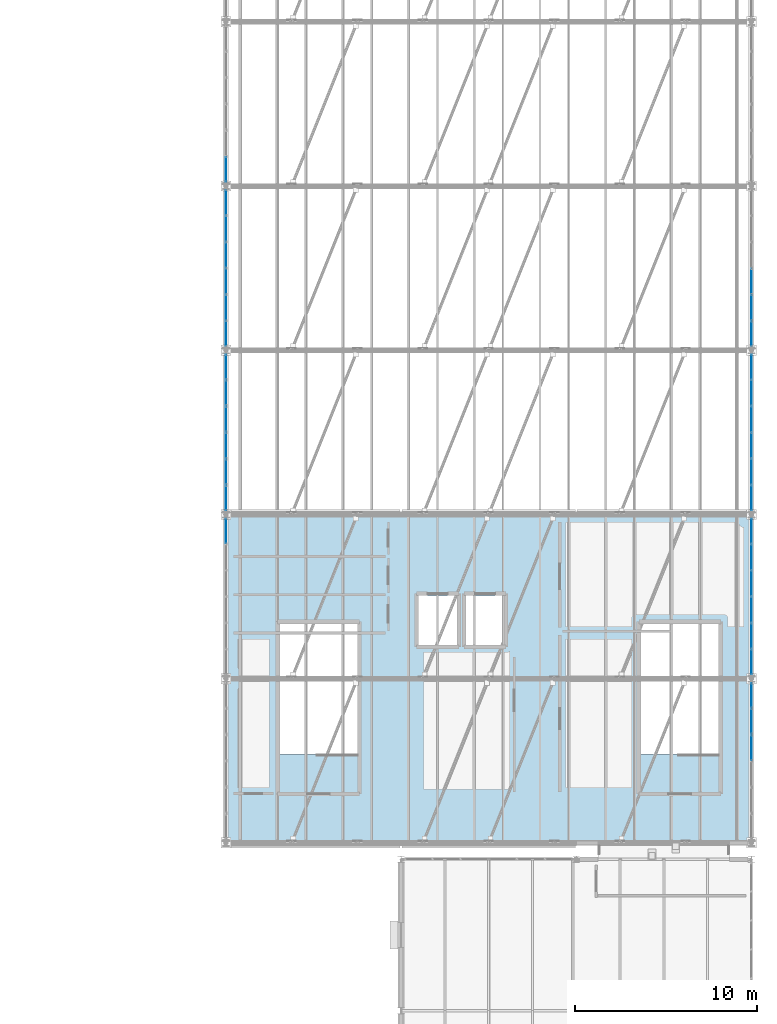
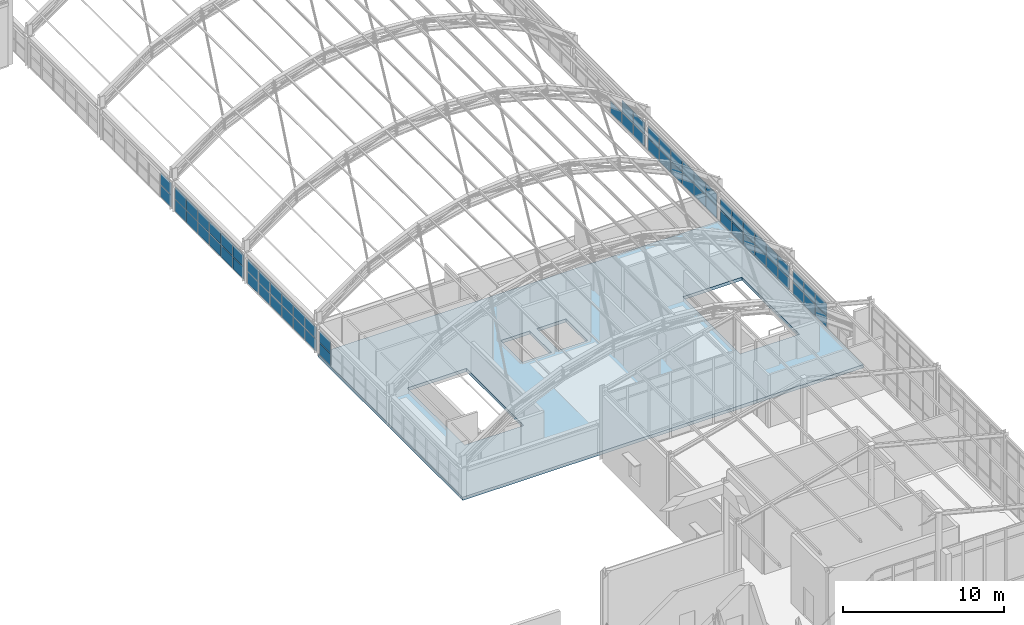
# One storey, part 98 of 121: 63 plates, 1 slab, 8 elements without a shape of their own.
"""IFC4 building model written with IfcOpenShell, lengths in metres."""

from ifc_helpers import new_model, si_unit, direction, frame, origin, origin_2d, place, context, subcontext, project, spatial, polyline, rectangle, outline, extrude, material, layer, layer_set, type_object, element, aggregate, save


model = new_model("IFC4")

# Units and contexts
model_context = context("Model", 3, precision=1e-05, world=origin(), true_north=direction((0.0, 1.0)))
body_context = subcontext(model_context, "Body", "Model", "MODEL_VIEW")
ifc_project = project(units=[si_unit("LENGTHUNIT", "METRE"), si_unit("AREAUNIT", "SQUARE_METRE"), si_unit("VOLUMEUNIT", "CUBIC_METRE"), si_unit("PLANEANGLEUNIT", "RADIAN"), si_unit("MASSUNIT", "GRAM", prefix="KILO")], contexts=[model_context])

# Site, building, storey
site_placement = place(None, origin())
site = spatial("IfcSite", under=ifc_project, at=site_placement, CompositionType="ELEMENT")
building_placement = place(site_placement, origin())
building = spatial("IfcBuilding", under=site, at=building_placement, Name="Canglan Escarpment Cableway Terminal", CompositionType="ELEMENT")
storey_placement = place(building_placement, frame((0.0, 0.0, 24.60009765625)))
storey = spatial("IfcBuildingStorey", under=building, at=storey_placement, Name="L05", CompositionType="ELEMENT", Elevation=24.60009765625)

# Curtain wall, plates
ifc_material_1 = material(Name="Anodized bronze aluminium and Low-E double glazing", Category="aluminium")
curtain_wall_type_1 = type_object("IfcCurtainWallType", Name="CW-BAY-8650x1950", PredefinedType="NOTDEFINED", material=ifc_material_1)
curtain_wall_1_placement = place(storey_placement, origin())
curtain_wall_1 = element("IfcCurtainWall", 1, at=curtain_wall_1_placement, inside=storey, type_object=curtain_wall_type_1, Name="Classical bay-between-piers glazed curtain wall CW-66", PredefinedType="NOTDEFINED")
ifc_material_2 = material(Name="Double-silver Low-E laminated insulating glass", Category="glass")
ifc_layer_1 = layer(ifc_material_2, 0.02392578125, Name="Double-silver Low-E laminated insulating glass")
ifc_layer_set_1 = layer_set([ifc_layer_1], Name="Double-silver Low-E laminated insulating glass")
plate_type_1 = type_object("IfcPlateType", Name="CWP-01", PredefinedType="CURTAIN_PANEL", material=ifc_layer_set_1)
plate_1_placement = place(storey_placement, frame((166.39990234375, 61.912109375, 0.06005859375), z_axis=(0.0, 0.0, 1.0), x_axis=(0.0, 1.0, 0.0)))
plate_1 = element("IfcPlate", 2, at=plate_1_placement, type_object=plate_type_1, Name="CW-66 panel 1.1", PredefinedType="CURTAIN_PANEL", context=body_context, shape_type="SweptSolid", body=[
    extrude(rectangle(XDim=1.34423828125, YDim=0.02392578125, at=origin_2d()), origin(), (0.0, 0.0, 1.0), 0.885009765625),
])
plate_2_placement = place(storey_placement, frame((166.39990234375, 61.912109375, 1.0048828125), z_axis=(0.0, 0.0, 1.0), x_axis=(0.0, 1.0, 0.0)))
plate_2 = element("IfcPlate", 3, at=plate_2_placement, type_object=plate_type_1, Name="CW-66 panel 1.2", PredefinedType="CURTAIN_PANEL", context=body_context, shape_type="SweptSolid", body=[
    extrude(rectangle(XDim=1.34423828125, YDim=0.02392578125, at=origin_2d()), origin(), (0.0, 0.0, 1.0), 0.885009765625),
])
plate_3_placement = place(storey_placement, frame((166.39990234375, 63.33740234375, 0.06005859375), z_axis=(0.0, 0.0, 1.0), x_axis=(0.0, 1.0, 0.0)))
plate_3 = element("IfcPlate", 4, at=plate_3_placement, type_object=plate_type_1, Name="CW-66 panel 2.1", PredefinedType="CURTAIN_PANEL", context=body_context, shape_type="SweptSolid", body=[
    extrude(rectangle(XDim=1.376708984375, YDim=0.02392578125, at=origin_2d()), origin(), (0.0, 0.0, 1.0), 0.885009765625),
])
plate_4_placement = place(storey_placement, frame((166.39990234375, 63.33740234375, 1.0048828125), z_axis=(0.0, 0.0, 1.0), x_axis=(0.0, 1.0, 0.0)))
plate_4 = element("IfcPlate", 5, at=plate_4_placement, type_object=plate_type_1, Name="CW-66 panel 2.2", PredefinedType="CURTAIN_PANEL", context=body_context, shape_type="SweptSolid", body=[
    extrude(rectangle(XDim=1.376708984375, YDim=0.02392578125, at=origin_2d()), origin(), (0.0, 0.0, 1.0), 0.885009765625),
])
plate_5_placement = place(storey_placement, frame((166.39990234375, 64.779052734375, 0.06005859375), z_axis=(0.0, 0.0, 1.0), x_axis=(0.0, 1.0, 0.0)))
plate_5 = element("IfcPlate", 6, at=plate_5_placement, type_object=plate_type_1, Name="CW-66 panel 3.1", PredefinedType="CURTAIN_PANEL", context=body_context, shape_type="SweptSolid", body=[
    extrude(rectangle(XDim=1.376708984375, YDim=0.02392578125, at=origin_2d()), origin(), (0.0, 0.0, 1.0), 0.885009765625),
])
aggregate(curtain_wall_1, [plate_1, plate_2, plate_3, plate_4, plate_5])

curtain_wall_2_placement = place(storey_placement, origin())
curtain_wall_2 = element("IfcCurtainWall", 7, at=curtain_wall_2_placement, inside=storey, type_object=curtain_wall_type_1, Name="Classical bay-between-piers glazed curtain wall CW-66", PredefinedType="NOTDEFINED")
plate_6_placement = place(storey_placement, frame((137.60009765625, 70.912109375, 0.06005859375), z_axis=(0.0, 0.0, 1.0), x_axis=(0.0, -1.0, 0.0)))
plate_6 = element("IfcPlate", 8, at=plate_6_placement, type_object=plate_type_1, Name="CW-66 panel 6.1", PredefinedType="CURTAIN_PANEL", context=body_context, shape_type="SweptSolid", body=[
    extrude(rectangle(XDim=1.34423828125, YDim=0.02392578125, at=origin_2d()), origin(), (0.0, 0.0, 1.0), 0.885009765625),
])
plate_7_placement = place(storey_placement, frame((137.60009765625, 70.912109375, 1.0048828125), z_axis=(0.0, 0.0, 1.0), x_axis=(0.0, -1.0, 0.0)))
plate_7 = element("IfcPlate", 9, at=plate_7_placement, type_object=plate_type_1, Name="CW-66 panel 6.2", PredefinedType="CURTAIN_PANEL", context=body_context, shape_type="SweptSolid", body=[
    extrude(rectangle(XDim=1.34423828125, YDim=0.02392578125, at=origin_2d()), origin(), (0.0, 0.0, 1.0), 0.885009765625),
])
aggregate(curtain_wall_2, [plate_6, plate_7])

curtain_wall_type_2 = type_object("IfcCurtainWallType", Name="CW-BAY-8650x1925", PredefinedType="NOTDEFINED", material=ifc_material_1)
curtain_wall_3_placement = place(storey_placement, origin())
curtain_wall_3 = element("IfcCurtainWall", 10, at=curtain_wall_3_placement, inside=storey, type_object=curtain_wall_type_2, Name="Classical bay-between-piers glazed curtain wall CW-65", PredefinedType="NOTDEFINED")
ifc_layer_2 = layer(ifc_material_2, 0.031982421875, Name="Double-silver Low-E laminated insulating glass")
ifc_layer_set_2 = layer_set([ifc_layer_2], Name="Double-silver Low-E laminated insulating glass")
plate_type_2 = type_object("IfcPlateType", Name="CWP-03", PredefinedType="CURTAIN_PANEL", material=ifc_layer_set_2)
plate_8_placement = place(storey_placement, frame((166.39990234375, 39.220947265625, 0.06494140625), z_axis=(0.0, 0.0, 1.0), x_axis=(0.0, 1.0, 0.0)))
plate_8 = element("IfcPlate", 11, at=plate_8_placement, type_object=plate_type_2, Name="CW-65 panel 4.1", PredefinedType="CURTAIN_PANEL", context=body_context, shape_type="SweptSolid", body=[
    extrude(rectangle(XDim=1.376708984375, YDim=0.031982421875, at=origin_2d()), origin(), (0.0, 0.0, 1.0), 0.868896484375),
])
plate_9_placement = place(storey_placement, frame((166.39990234375, 39.220947265625, 0.998779296875), z_axis=(0.0, 0.0, 1.0), x_axis=(0.0, 1.0, 0.0)))
plate_9 = element("IfcPlate", 12, at=plate_9_placement, type_object=plate_type_2, Name="CW-65 panel 4.2", PredefinedType="CURTAIN_PANEL", context=body_context, shape_type="SweptSolid", body=[
    extrude(rectangle(XDim=1.376708984375, YDim=0.031982421875, at=origin_2d()), origin(), (0.0, 0.0, 1.0), 0.86865234375),
])
plate_10_placement = place(storey_placement, frame((166.39990234375, 40.66259765625, 0.06494140625), z_axis=(0.0, 0.0, 1.0), x_axis=(0.0, 1.0, 0.0)))
plate_10 = element("IfcPlate", 13, at=plate_10_placement, type_object=plate_type_2, Name="CW-65 panel 5.1", PredefinedType="CURTAIN_PANEL", context=body_context, shape_type="SweptSolid", body=[
    extrude(rectangle(XDim=1.376708984375, YDim=0.031982421875, at=origin_2d()), origin(), (0.0, 0.0, 1.0), 0.868896484375),
])
plate_11_placement = place(storey_placement, frame((166.39990234375, 40.66259765625, 0.998779296875), z_axis=(0.0, 0.0, 1.0), x_axis=(0.0, 1.0, 0.0)))
plate_11 = element("IfcPlate", 14, at=plate_11_placement, type_object=plate_type_2, Name="CW-65 panel 5.2", PredefinedType="CURTAIN_PANEL", context=body_context, shape_type="SweptSolid", body=[
    extrude(rectangle(XDim=1.376708984375, YDim=0.031982421875, at=origin_2d()), origin(), (0.0, 0.0, 1.0), 0.86865234375),
])
plate_12_placement = place(storey_placement, frame((166.39990234375, 42.087890625, 0.06494140625), z_axis=(0.0, 0.0, 1.0), x_axis=(0.0, 1.0, 0.0)))
plate_12 = element("IfcPlate", 15, at=plate_12_placement, type_object=plate_type_2, Name="CW-65 panel 6.1", PredefinedType="CURTAIN_PANEL", context=body_context, shape_type="SweptSolid", body=[
    extrude(rectangle(XDim=1.34423828125, YDim=0.031982421875, at=origin_2d()), origin(), (0.0, 0.0, 1.0), 0.868896484375),
])
plate_13_placement = place(storey_placement, frame((166.39990234375, 42.087890625, 0.998779296875), z_axis=(0.0, 0.0, 1.0), x_axis=(0.0, 1.0, 0.0)))
plate_13 = element("IfcPlate", 16, at=plate_13_placement, type_object=plate_type_2, Name="CW-65 panel 6.2", PredefinedType="CURTAIN_PANEL", context=body_context, shape_type="SweptSolid", body=[
    extrude(rectangle(XDim=1.34423828125, YDim=0.031982421875, at=origin_2d()), origin(), (0.0, 0.0, 1.0), 0.86865234375),
])
aggregate(curtain_wall_3, [plate_8, plate_9, plate_10, plate_11, plate_12, plate_13])

curtain_wall_4_placement = place(storey_placement, origin())
curtain_wall_4 = element("IfcCurtainWall", 17, at=curtain_wall_4_placement, inside=storey, type_object=curtain_wall_type_1, Name="Classical bay-between-piers glazed curtain wall CW-66", PredefinedType="NOTDEFINED")
plate_14_placement = place(storey_placement, frame((137.60009765625, 60.087890625, 0.06494140625), z_axis=(0.0, 0.0, 1.0), x_axis=(0.0, -1.0, 0.0)))
plate_14 = element("IfcPlate", 18, at=plate_14_placement, type_object=plate_type_2, Name="CW-66 panel 1.1", PredefinedType="CURTAIN_PANEL", context=body_context, shape_type="SweptSolid", body=[
    extrude(rectangle(XDim=1.34423828125, YDim=0.031982421875, at=origin_2d()), origin(), (0.0, 0.0, 1.0), 0.87744140625),
])
plate_15_placement = place(storey_placement, frame((137.60009765625, 60.087890625, 1.00732421875), z_axis=(0.0, 0.0, 1.0), x_axis=(0.0, -1.0, 0.0)))
plate_15 = element("IfcPlate", 19, at=plate_15_placement, type_object=plate_type_2, Name="CW-66 panel 1.2", PredefinedType="CURTAIN_PANEL", context=body_context, shape_type="SweptSolid", body=[
    extrude(rectangle(XDim=1.34423828125, YDim=0.031982421875, at=origin_2d()), origin(), (0.0, 0.0, 1.0), 0.87744140625),
])
plate_16_placement = place(storey_placement, frame((137.60009765625, 58.66259765625, 0.06494140625), z_axis=(0.0, 0.0, 1.0), x_axis=(0.0, -1.0, 0.0)))
plate_16 = element("IfcPlate", 20, at=plate_16_placement, type_object=plate_type_2, Name="CW-66 panel 2.1", PredefinedType="CURTAIN_PANEL", context=body_context, shape_type="SweptSolid", body=[
    extrude(rectangle(XDim=1.376708984375, YDim=0.031982421875, at=origin_2d()), origin(), (0.0, 0.0, 1.0), 0.87744140625),
])
plate_17_placement = place(storey_placement, frame((137.60009765625, 58.66259765625, 1.00732421875), z_axis=(0.0, 0.0, 1.0), x_axis=(0.0, -1.0, 0.0)))
plate_17 = element("IfcPlate", 21, at=plate_17_placement, type_object=plate_type_2, Name="CW-66 panel 2.2", PredefinedType="CURTAIN_PANEL", context=body_context, shape_type="SweptSolid", body=[
    extrude(rectangle(XDim=1.376708984375, YDim=0.031982421875, at=origin_2d()), origin(), (0.0, 0.0, 1.0), 0.87744140625),
])
plate_18_placement = place(storey_placement, frame((137.60009765625, 57.220947265625, 0.06494140625), z_axis=(0.0, 0.0, 1.0), x_axis=(0.0, -1.0, 0.0)))
plate_18 = element("IfcPlate", 22, at=plate_18_placement, type_object=plate_type_2, Name="CW-66 panel 3.1", PredefinedType="CURTAIN_PANEL", context=body_context, shape_type="SweptSolid", body=[
    extrude(rectangle(XDim=1.376708984375, YDim=0.031982421875, at=origin_2d()), origin(), (0.0, 0.0, 1.0), 0.87744140625),
])
plate_19_placement = place(storey_placement, frame((137.60009765625, 57.220947265625, 1.00732421875), z_axis=(0.0, 0.0, 1.0), x_axis=(0.0, -1.0, 0.0)))
plate_19 = element("IfcPlate", 23, at=plate_19_placement, type_object=plate_type_2, Name="CW-66 panel 3.2", PredefinedType="CURTAIN_PANEL", context=body_context, shape_type="SweptSolid", body=[
    extrude(rectangle(XDim=1.376708984375, YDim=0.031982421875, at=origin_2d()), origin(), (0.0, 0.0, 1.0), 0.87744140625),
])
plate_20_placement = place(storey_placement, frame((137.60009765625, 55.779052734375, 0.06494140625), z_axis=(0.0, 0.0, 1.0), x_axis=(0.0, -1.0, 0.0)))
plate_20 = element("IfcPlate", 24, at=plate_20_placement, type_object=plate_type_2, Name="CW-66 panel 4.1", PredefinedType="CURTAIN_PANEL", context=body_context, shape_type="SweptSolid", body=[
    extrude(rectangle(XDim=1.376708984375, YDim=0.031982421875, at=origin_2d()), origin(), (0.0, 0.0, 1.0), 0.87744140625),
])
plate_21_placement = place(storey_placement, frame((137.60009765625, 55.779052734375, 1.00732421875), z_axis=(0.0, 0.0, 1.0), x_axis=(0.0, -1.0, 0.0)))
plate_21 = element("IfcPlate", 25, at=plate_21_placement, type_object=plate_type_2, Name="CW-66 panel 4.2", PredefinedType="CURTAIN_PANEL", context=body_context, shape_type="SweptSolid", body=[
    extrude(rectangle(XDim=1.376708984375, YDim=0.031982421875, at=origin_2d()), origin(), (0.0, 0.0, 1.0), 0.87744140625),
])
plate_22_placement = place(storey_placement, frame((137.60009765625, 54.33740234375, 0.06494140625), z_axis=(0.0, 0.0, 1.0), x_axis=(0.0, -1.0, 0.0)))
plate_22 = element("IfcPlate", 26, at=plate_22_placement, type_object=plate_type_2, Name="CW-66 panel 5.1", PredefinedType="CURTAIN_PANEL", context=body_context, shape_type="SweptSolid", body=[
    extrude(rectangle(XDim=1.376708984375, YDim=0.031982421875, at=origin_2d()), origin(), (0.0, 0.0, 1.0), 0.87744140625),
])
plate_23_placement = place(storey_placement, frame((137.60009765625, 54.33740234375, 1.00732421875), z_axis=(0.0, 0.0, 1.0), x_axis=(0.0, -1.0, 0.0)))
plate_23 = element("IfcPlate", 27, at=plate_23_placement, type_object=plate_type_2, Name="CW-66 panel 5.2", PredefinedType="CURTAIN_PANEL", context=body_context, shape_type="SweptSolid", body=[
    extrude(rectangle(XDim=1.376708984375, YDim=0.031982421875, at=origin_2d()), origin(), (0.0, 0.0, 1.0), 0.87744140625),
])
plate_24_placement = place(storey_placement, frame((137.60009765625, 52.912109375, 0.06494140625), z_axis=(0.0, 0.0, 1.0), x_axis=(0.0, -1.0, 0.0)))
plate_24 = element("IfcPlate", 28, at=plate_24_placement, type_object=plate_type_2, Name="CW-66 panel 6.1", PredefinedType="CURTAIN_PANEL", context=body_context, shape_type="SweptSolid", body=[
    extrude(rectangle(XDim=1.34423828125, YDim=0.031982421875, at=origin_2d()), origin(), (0.0, 0.0, 1.0), 0.87744140625),
])
plate_25_placement = place(storey_placement, frame((137.60009765625, 52.912109375, 1.00732421875), z_axis=(0.0, 0.0, 1.0), x_axis=(0.0, -1.0, 0.0)))
plate_25 = element("IfcPlate", 29, at=plate_25_placement, type_object=plate_type_2, Name="CW-66 panel 6.2", PredefinedType="CURTAIN_PANEL", context=body_context, shape_type="SweptSolid", body=[
    extrude(rectangle(XDim=1.34423828125, YDim=0.031982421875, at=origin_2d()), origin(), (0.0, 0.0, 1.0), 0.87744140625),
])
aggregate(curtain_wall_4, [plate_14, plate_15, plate_16, plate_17, plate_18, plate_19, plate_20, plate_21, plate_22, plate_23, plate_24, plate_25])

curtain_wall_5_placement = place(storey_placement, origin())
curtain_wall_5 = element("IfcCurtainWall", 30, at=curtain_wall_5_placement, inside=storey, type_object=curtain_wall_type_2, Name="Classical bay-between-piers glazed curtain wall CW-65", PredefinedType="NOTDEFINED")
ifc_layer_3 = layer(ifc_material_2, 0.035888671875, Name="Double-silver Low-E laminated insulating glass")
ifc_layer_set_3 = layer_set([ifc_layer_3], Name="Double-silver Low-E laminated insulating glass")
plate_type_3 = type_object("IfcPlateType", Name="CWP-04", PredefinedType="CURTAIN_PANEL", material=ifc_layer_set_3)
plate_26_placement = place(storey_placement, frame((166.39990234375, 43.910888671875, 0.054931640625), z_axis=(0.0, 0.0, 1.0), x_axis=(0.0, 1.0, 0.0)))
plate_26 = element("IfcPlate", 31, at=plate_26_placement, type_object=plate_type_3, Name="CW-65 panel 1.1", PredefinedType="CURTAIN_PANEL", context=body_context, shape_type="SweptSolid", body=[
    extrude(rectangle(XDim=1.3515625, YDim=0.035888671875, at=origin_2d()), origin(), (0.0, 0.0, 1.0), 0.8837890625),
])
plate_27_placement = place(storey_placement, frame((166.39990234375, 43.910888671875, 0.99365234375), z_axis=(0.0, 0.0, 1.0), x_axis=(0.0, 1.0, 0.0)))
plate_27 = element("IfcPlate", 32, at=plate_27_placement, type_object=plate_type_3, Name="CW-65 panel 1.2", PredefinedType="CURTAIN_PANEL", context=body_context, shape_type="SweptSolid", body=[
    extrude(rectangle(XDim=1.3515625, YDim=0.035888671875, at=origin_2d()), origin(), (0.0, 0.0, 1.0), 0.8837890625),
])
plate_28_placement = place(storey_placement, frame((166.39990234375, 45.33740234375, 0.054931640625), z_axis=(0.0, 0.0, 1.0), x_axis=(0.0, 1.0, 0.0)))
plate_28 = element("IfcPlate", 33, at=plate_28_placement, type_object=plate_type_3, Name="CW-65 panel 2.1", PredefinedType="CURTAIN_PANEL", context=body_context, shape_type="SweptSolid", body=[
    extrude(rectangle(XDim=1.381591796875, YDim=0.035888671875, at=origin_2d()), origin(), (0.0, 0.0, 1.0), 0.8837890625),
])
plate_29_placement = place(storey_placement, frame((166.39990234375, 45.33740234375, 0.99365234375), z_axis=(0.0, 0.0, 1.0), x_axis=(0.0, 1.0, 0.0)))
plate_29 = element("IfcPlate", 34, at=plate_29_placement, type_object=plate_type_3, Name="CW-65 panel 2.2", PredefinedType="CURTAIN_PANEL", context=body_context, shape_type="SweptSolid", body=[
    extrude(rectangle(XDim=1.381591796875, YDim=0.035888671875, at=origin_2d()), origin(), (0.0, 0.0, 1.0), 0.8837890625),
])
plate_30_placement = place(storey_placement, frame((166.39990234375, 46.779052734375, 0.054931640625), z_axis=(0.0, 0.0, 1.0), x_axis=(0.0, 1.0, 0.0)))
plate_30 = element("IfcPlate", 35, at=plate_30_placement, type_object=plate_type_3, Name="CW-65 panel 3.1", PredefinedType="CURTAIN_PANEL", context=body_context, shape_type="SweptSolid", body=[
    extrude(rectangle(XDim=1.381591796875, YDim=0.035888671875, at=origin_2d()), origin(), (0.0, 0.0, 1.0), 0.8837890625),
])
plate_31_placement = place(storey_placement, frame((166.39990234375, 46.779052734375, 0.99365234375), z_axis=(0.0, 0.0, 1.0), x_axis=(0.0, 1.0, 0.0)))
plate_31 = element("IfcPlate", 36, at=plate_31_placement, type_object=plate_type_3, Name="CW-65 panel 3.2", PredefinedType="CURTAIN_PANEL", context=body_context, shape_type="SweptSolid", body=[
    extrude(rectangle(XDim=1.381591796875, YDim=0.035888671875, at=origin_2d()), origin(), (0.0, 0.0, 1.0), 0.8837890625),
])
plate_32_placement = place(storey_placement, frame((166.39990234375, 48.220947265625, 0.054931640625), z_axis=(0.0, 0.0, 1.0), x_axis=(0.0, 1.0, 0.0)))
plate_32 = element("IfcPlate", 37, at=plate_32_placement, type_object=plate_type_3, Name="CW-65 panel 4.1", PredefinedType="CURTAIN_PANEL", context=body_context, shape_type="SweptSolid", body=[
    extrude(rectangle(XDim=1.381591796875, YDim=0.035888671875, at=origin_2d()), origin(), (0.0, 0.0, 1.0), 0.8837890625),
])
plate_33_placement = place(storey_placement, frame((166.39990234375, 48.220947265625, 0.99365234375), z_axis=(0.0, 0.0, 1.0), x_axis=(0.0, 1.0, 0.0)))
plate_33 = element("IfcPlate", 38, at=plate_33_placement, type_object=plate_type_3, Name="CW-65 panel 4.2", PredefinedType="CURTAIN_PANEL", context=body_context, shape_type="SweptSolid", body=[
    extrude(rectangle(XDim=1.381591796875, YDim=0.035888671875, at=origin_2d()), origin(), (0.0, 0.0, 1.0), 0.8837890625),
])
plate_34_placement = place(storey_placement, frame((166.39990234375, 49.66259765625, 0.054931640625), z_axis=(0.0, 0.0, 1.0), x_axis=(0.0, 1.0, 0.0)))
plate_34 = element("IfcPlate", 39, at=plate_34_placement, type_object=plate_type_3, Name="CW-65 panel 5.1", PredefinedType="CURTAIN_PANEL", context=body_context, shape_type="SweptSolid", body=[
    extrude(rectangle(XDim=1.381591796875, YDim=0.035888671875, at=origin_2d()), origin(), (0.0, 0.0, 1.0), 0.8837890625),
])
plate_35_placement = place(storey_placement, frame((166.39990234375, 49.66259765625, 0.99365234375), z_axis=(0.0, 0.0, 1.0), x_axis=(0.0, 1.0, 0.0)))
plate_35 = element("IfcPlate", 40, at=plate_35_placement, type_object=plate_type_3, Name="CW-65 panel 5.2", PredefinedType="CURTAIN_PANEL", context=body_context, shape_type="SweptSolid", body=[
    extrude(rectangle(XDim=1.381591796875, YDim=0.035888671875, at=origin_2d()), origin(), (0.0, 0.0, 1.0), 0.8837890625),
])
plate_36_placement = place(storey_placement, frame((166.39990234375, 51.089111328125, 0.054931640625), z_axis=(0.0, 0.0, 1.0), x_axis=(0.0, 1.0, 0.0)))
plate_36 = element("IfcPlate", 41, at=plate_36_placement, type_object=plate_type_3, Name="CW-65 panel 6.1", PredefinedType="CURTAIN_PANEL", context=body_context, shape_type="SweptSolid", body=[
    extrude(rectangle(XDim=1.3515625, YDim=0.035888671875, at=origin_2d()), origin(), (0.0, 0.0, 1.0), 0.8837890625),
])
plate_37_placement = place(storey_placement, frame((166.39990234375, 51.089111328125, 0.99365234375), z_axis=(0.0, 0.0, 1.0), x_axis=(0.0, 1.0, 0.0)))
plate_37 = element("IfcPlate", 42, at=plate_37_placement, type_object=plate_type_3, Name="CW-65 panel 6.2", PredefinedType="CURTAIN_PANEL", context=body_context, shape_type="SweptSolid", body=[
    extrude(rectangle(XDim=1.3515625, YDim=0.035888671875, at=origin_2d()), origin(), (0.0, 0.0, 1.0), 0.8837890625),
])
aggregate(curtain_wall_5, [plate_26, plate_27, plate_28, plate_29, plate_30, plate_31, plate_32, plate_33, plate_34, plate_35, plate_36, plate_37])

curtain_wall_6_placement = place(storey_placement, origin())
curtain_wall_6 = element("IfcCurtainWall", 43, at=curtain_wall_6_placement, inside=storey, type_object=curtain_wall_type_2, Name="Classical bay-between-piers glazed curtain wall CW-65", PredefinedType="NOTDEFINED")
plate_38_placement = place(storey_placement, frame((137.60009765625, 51.089111328125, 0.054931640625), z_axis=(0.0, 0.0, 1.0), x_axis=(0.0, -1.0, 0.0)))
plate_38 = element("IfcPlate", 44, at=plate_38_placement, type_object=plate_type_3, Name="CW-65 panel 1.1", PredefinedType="CURTAIN_PANEL", context=body_context, shape_type="SweptSolid", body=[
    extrude(rectangle(XDim=1.3515625, YDim=0.035888671875, at=origin_2d()), origin(), (0.0, 0.0, 1.0), 0.8837890625),
])
plate_39_placement = place(storey_placement, frame((137.60009765625, 51.089111328125, 0.99365234375), z_axis=(0.0, 0.0, 1.0), x_axis=(0.0, -1.0, 0.0)))
plate_39 = element("IfcPlate", 45, at=plate_39_placement, type_object=plate_type_3, Name="CW-65 panel 1.2", PredefinedType="CURTAIN_PANEL", context=body_context, shape_type="SweptSolid", body=[
    extrude(rectangle(XDim=1.3515625, YDim=0.035888671875, at=origin_2d()), origin(), (0.0, 0.0, 1.0), 0.8837890625),
])
aggregate(curtain_wall_6, [plate_38, plate_39])

curtain_wall_7_placement = place(storey_placement, origin())
curtain_wall_7 = element("IfcCurtainWall", 46, at=curtain_wall_7_placement, inside=storey, type_object=curtain_wall_type_1, Name="Classical bay-between-piers glazed curtain wall CW-66", PredefinedType="NOTDEFINED")
plate_40_placement = place(storey_placement, frame((166.39990234375, 52.910888671875, 0.054931640625), z_axis=(0.0, 0.0, 1.0), x_axis=(0.0, 1.0, 0.0)))
plate_40 = element("IfcPlate", 47, at=plate_40_placement, type_object=plate_type_3, Name="CW-66 panel 1.1", PredefinedType="CURTAIN_PANEL", context=body_context, shape_type="SweptSolid", body=[
    extrude(rectangle(XDim=1.3515625, YDim=0.035888671875, at=origin_2d()), origin(), (0.0, 0.0, 1.0), 0.892578125),
])
plate_41_placement = place(storey_placement, frame((166.39990234375, 52.910888671875, 1.00244140625), z_axis=(0.0, 0.0, 1.0), x_axis=(0.0, 1.0, 0.0)))
plate_41 = element("IfcPlate", 48, at=plate_41_placement, type_object=plate_type_3, Name="CW-66 panel 1.2", PredefinedType="CURTAIN_PANEL", context=body_context, shape_type="SweptSolid", body=[
    extrude(rectangle(XDim=1.3515625, YDim=0.035888671875, at=origin_2d()), origin(), (0.0, 0.0, 1.0), 0.892578125),
])
plate_42_placement = place(storey_placement, frame((166.39990234375, 54.33740234375, 0.054931640625), z_axis=(0.0, 0.0, 1.0), x_axis=(0.0, 1.0, 0.0)))
plate_42 = element("IfcPlate", 49, at=plate_42_placement, type_object=plate_type_3, Name="CW-66 panel 2.1", PredefinedType="CURTAIN_PANEL", context=body_context, shape_type="SweptSolid", body=[
    extrude(rectangle(XDim=1.381591796875, YDim=0.035888671875, at=origin_2d()), origin(), (0.0, 0.0, 1.0), 0.892578125),
])
plate_43_placement = place(storey_placement, frame((166.39990234375, 54.33740234375, 1.00244140625), z_axis=(0.0, 0.0, 1.0), x_axis=(0.0, 1.0, 0.0)))
plate_43 = element("IfcPlate", 50, at=plate_43_placement, type_object=plate_type_3, Name="CW-66 panel 2.2", PredefinedType="CURTAIN_PANEL", context=body_context, shape_type="SweptSolid", body=[
    extrude(rectangle(XDim=1.381591796875, YDim=0.035888671875, at=origin_2d()), origin(), (0.0, 0.0, 1.0), 0.892578125),
])
plate_44_placement = place(storey_placement, frame((166.39990234375, 55.779052734375, 0.054931640625), z_axis=(0.0, 0.0, 1.0), x_axis=(0.0, 1.0, 0.0)))
plate_44 = element("IfcPlate", 51, at=plate_44_placement, type_object=plate_type_3, Name="CW-66 panel 3.1", PredefinedType="CURTAIN_PANEL", context=body_context, shape_type="SweptSolid", body=[
    extrude(rectangle(XDim=1.381591796875, YDim=0.035888671875, at=origin_2d()), origin(), (0.0, 0.0, 1.0), 0.892578125),
])
plate_45_placement = place(storey_placement, frame((166.39990234375, 55.779052734375, 1.00244140625), z_axis=(0.0, 0.0, 1.0), x_axis=(0.0, 1.0, 0.0)))
plate_45 = element("IfcPlate", 52, at=plate_45_placement, type_object=plate_type_3, Name="CW-66 panel 3.2", PredefinedType="CURTAIN_PANEL", context=body_context, shape_type="SweptSolid", body=[
    extrude(rectangle(XDim=1.381591796875, YDim=0.035888671875, at=origin_2d()), origin(), (0.0, 0.0, 1.0), 0.892578125),
])
plate_46_placement = place(storey_placement, frame((166.39990234375, 57.220947265625, 0.054931640625), z_axis=(0.0, 0.0, 1.0), x_axis=(0.0, 1.0, 0.0)))
plate_46 = element("IfcPlate", 53, at=plate_46_placement, type_object=plate_type_3, Name="CW-66 panel 4.1", PredefinedType="CURTAIN_PANEL", context=body_context, shape_type="SweptSolid", body=[
    extrude(rectangle(XDim=1.381591796875, YDim=0.035888671875, at=origin_2d()), origin(), (0.0, 0.0, 1.0), 0.892578125),
])
plate_47_placement = place(storey_placement, frame((166.39990234375, 57.220947265625, 1.00244140625), z_axis=(0.0, 0.0, 1.0), x_axis=(0.0, 1.0, 0.0)))
plate_47 = element("IfcPlate", 54, at=plate_47_placement, type_object=plate_type_3, Name="CW-66 panel 4.2", PredefinedType="CURTAIN_PANEL", context=body_context, shape_type="SweptSolid", body=[
    extrude(rectangle(XDim=1.381591796875, YDim=0.035888671875, at=origin_2d()), origin(), (0.0, 0.0, 1.0), 0.892578125),
])
plate_48_placement = place(storey_placement, frame((166.39990234375, 58.66259765625, 0.054931640625), z_axis=(0.0, 0.0, 1.0), x_axis=(0.0, 1.0, 0.0)))
plate_48 = element("IfcPlate", 55, at=plate_48_placement, type_object=plate_type_3, Name="CW-66 panel 5.1", PredefinedType="CURTAIN_PANEL", context=body_context, shape_type="SweptSolid", body=[
    extrude(rectangle(XDim=1.381591796875, YDim=0.035888671875, at=origin_2d()), origin(), (0.0, 0.0, 1.0), 0.892578125),
])
plate_49_placement = place(storey_placement, frame((166.39990234375, 58.66259765625, 1.00244140625), z_axis=(0.0, 0.0, 1.0), x_axis=(0.0, 1.0, 0.0)))
plate_49 = element("IfcPlate", 56, at=plate_49_placement, type_object=plate_type_3, Name="CW-66 panel 5.2", PredefinedType="CURTAIN_PANEL", context=body_context, shape_type="SweptSolid", body=[
    extrude(rectangle(XDim=1.381591796875, YDim=0.035888671875, at=origin_2d()), origin(), (0.0, 0.0, 1.0), 0.892578125),
])
plate_50_placement = place(storey_placement, frame((166.39990234375, 60.089111328125, 0.054931640625), z_axis=(0.0, 0.0, 1.0), x_axis=(0.0, 1.0, 0.0)))
plate_50 = element("IfcPlate", 57, at=plate_50_placement, type_object=plate_type_3, Name="CW-66 panel 6.1", PredefinedType="CURTAIN_PANEL", context=body_context, shape_type="SweptSolid", body=[
    extrude(rectangle(XDim=1.3515625, YDim=0.035888671875, at=origin_2d()), origin(), (0.0, 0.0, 1.0), 0.892578125),
])
plate_51_placement = place(storey_placement, frame((166.39990234375, 60.089111328125, 1.00244140625), z_axis=(0.0, 0.0, 1.0), x_axis=(0.0, 1.0, 0.0)))
plate_51 = element("IfcPlate", 58, at=plate_51_placement, type_object=plate_type_3, Name="CW-66 panel 6.2", PredefinedType="CURTAIN_PANEL", context=body_context, shape_type="SweptSolid", body=[
    extrude(rectangle(XDim=1.3515625, YDim=0.035888671875, at=origin_2d()), origin(), (0.0, 0.0, 1.0), 0.892578125),
])
aggregate(curtain_wall_7, [plate_40, plate_41, plate_42, plate_43, plate_44, plate_45, plate_46, plate_47, plate_48, plate_49, plate_50, plate_51])

curtain_wall_8_placement = place(storey_placement, origin())
curtain_wall_8 = element("IfcCurtainWall", 59, at=curtain_wall_8_placement, inside=storey, type_object=curtain_wall_type_1, Name="Classical bay-between-piers glazed curtain wall CW-66", PredefinedType="NOTDEFINED")
plate_52_placement = place(storey_placement, frame((137.60009765625, 69.089111328125, 0.054931640625), z_axis=(0.0, 0.0, 1.0), x_axis=(0.0, -1.0, 0.0)))
plate_52 = element("IfcPlate", 60, at=plate_52_placement, type_object=plate_type_3, Name="CW-66 panel 1.1", PredefinedType="CURTAIN_PANEL", context=body_context, shape_type="SweptSolid", body=[
    extrude(rectangle(XDim=1.3515625, YDim=0.035888671875, at=origin_2d()), origin(), (0.0, 0.0, 1.0), 0.892578125),
])
plate_53_placement = place(storey_placement, frame((137.60009765625, 69.089111328125, 1.00244140625), z_axis=(0.0, 0.0, 1.0), x_axis=(0.0, -1.0, 0.0)))
plate_53 = element("IfcPlate", 61, at=plate_53_placement, type_object=plate_type_3, Name="CW-66 panel 1.2", PredefinedType="CURTAIN_PANEL", context=body_context, shape_type="SweptSolid", body=[
    extrude(rectangle(XDim=1.3515625, YDim=0.035888671875, at=origin_2d()), origin(), (0.0, 0.0, 1.0), 0.892578125),
])
plate_54_placement = place(storey_placement, frame((137.60009765625, 67.66259765625, 0.054931640625), z_axis=(0.0, 0.0, 1.0), x_axis=(0.0, -1.0, 0.0)))
plate_54 = element("IfcPlate", 62, at=plate_54_placement, type_object=plate_type_3, Name="CW-66 panel 2.1", PredefinedType="CURTAIN_PANEL", context=body_context, shape_type="SweptSolid", body=[
    extrude(rectangle(XDim=1.381591796875, YDim=0.035888671875, at=origin_2d()), origin(), (0.0, 0.0, 1.0), 0.892578125),
])
plate_55_placement = place(storey_placement, frame((137.60009765625, 67.66259765625, 1.00244140625), z_axis=(0.0, 0.0, 1.0), x_axis=(0.0, -1.0, 0.0)))
plate_55 = element("IfcPlate", 63, at=plate_55_placement, type_object=plate_type_3, Name="CW-66 panel 2.2", PredefinedType="CURTAIN_PANEL", context=body_context, shape_type="SweptSolid", body=[
    extrude(rectangle(XDim=1.381591796875, YDim=0.035888671875, at=origin_2d()), origin(), (0.0, 0.0, 1.0), 0.892578125),
])
plate_56_placement = place(storey_placement, frame((137.60009765625, 66.220947265625, 0.054931640625), z_axis=(0.0, 0.0, 1.0), x_axis=(0.0, -1.0, 0.0)))
plate_56 = element("IfcPlate", 64, at=plate_56_placement, type_object=plate_type_3, Name="CW-66 panel 3.1", PredefinedType="CURTAIN_PANEL", context=body_context, shape_type="SweptSolid", body=[
    extrude(rectangle(XDim=1.381591796875, YDim=0.035888671875, at=origin_2d()), origin(), (0.0, 0.0, 1.0), 0.892578125),
])
plate_57_placement = place(storey_placement, frame((137.60009765625, 66.220947265625, 1.00244140625), z_axis=(0.0, 0.0, 1.0), x_axis=(0.0, -1.0, 0.0)))
plate_57 = element("IfcPlate", 65, at=plate_57_placement, type_object=plate_type_3, Name="CW-66 panel 3.2", PredefinedType="CURTAIN_PANEL", context=body_context, shape_type="SweptSolid", body=[
    extrude(rectangle(XDim=1.381591796875, YDim=0.035888671875, at=origin_2d()), origin(), (0.0, 0.0, 1.0), 0.892578125),
])
plate_58_placement = place(storey_placement, frame((137.60009765625, 64.779052734375, 0.054931640625), z_axis=(0.0, 0.0, 1.0), x_axis=(0.0, -1.0, 0.0)))
plate_58 = element("IfcPlate", 66, at=plate_58_placement, type_object=plate_type_3, Name="CW-66 panel 4.1", PredefinedType="CURTAIN_PANEL", context=body_context, shape_type="SweptSolid", body=[
    extrude(rectangle(XDim=1.381591796875, YDim=0.035888671875, at=origin_2d()), origin(), (0.0, 0.0, 1.0), 0.892578125),
])
plate_59_placement = place(storey_placement, frame((137.60009765625, 64.779052734375, 1.00244140625), z_axis=(0.0, 0.0, 1.0), x_axis=(0.0, -1.0, 0.0)))
plate_59 = element("IfcPlate", 67, at=plate_59_placement, type_object=plate_type_3, Name="CW-66 panel 4.2", PredefinedType="CURTAIN_PANEL", context=body_context, shape_type="SweptSolid", body=[
    extrude(rectangle(XDim=1.381591796875, YDim=0.035888671875, at=origin_2d()), origin(), (0.0, 0.0, 1.0), 0.892578125),
])
plate_60_placement = place(storey_placement, frame((137.60009765625, 63.33740234375, 0.054931640625), z_axis=(0.0, 0.0, 1.0), x_axis=(0.0, -1.0, 0.0)))
plate_60 = element("IfcPlate", 68, at=plate_60_placement, type_object=plate_type_3, Name="CW-66 panel 5.1", PredefinedType="CURTAIN_PANEL", context=body_context, shape_type="SweptSolid", body=[
    extrude(rectangle(XDim=1.381591796875, YDim=0.035888671875, at=origin_2d()), origin(), (0.0, 0.0, 1.0), 0.892578125),
])
plate_61_placement = place(storey_placement, frame((137.60009765625, 63.33740234375, 1.00244140625), z_axis=(0.0, 0.0, 1.0), x_axis=(0.0, -1.0, 0.0)))
plate_61 = element("IfcPlate", 69, at=plate_61_placement, type_object=plate_type_3, Name="CW-66 panel 5.2", PredefinedType="CURTAIN_PANEL", context=body_context, shape_type="SweptSolid", body=[
    extrude(rectangle(XDim=1.381591796875, YDim=0.035888671875, at=origin_2d()), origin(), (0.0, 0.0, 1.0), 0.892578125),
])
plate_62_placement = place(storey_placement, frame((137.60009765625, 61.910888671875, 0.054931640625), z_axis=(0.0, 0.0, 1.0), x_axis=(0.0, -1.0, 0.0)))
plate_62 = element("IfcPlate", 70, at=plate_62_placement, type_object=plate_type_3, Name="CW-66 panel 6.1", PredefinedType="CURTAIN_PANEL", context=body_context, shape_type="SweptSolid", body=[
    extrude(rectangle(XDim=1.3515625, YDim=0.035888671875, at=origin_2d()), origin(), (0.0, 0.0, 1.0), 0.892578125),
])
plate_63_placement = place(storey_placement, frame((137.60009765625, 61.910888671875, 1.00244140625), z_axis=(0.0, 0.0, 1.0), x_axis=(0.0, -1.0, 0.0)))
plate_63 = element("IfcPlate", 71, at=plate_63_placement, type_object=plate_type_3, Name="CW-66 panel 6.2", PredefinedType="CURTAIN_PANEL", context=body_context, shape_type="SweptSolid", body=[
    extrude(rectangle(XDim=1.3515625, YDim=0.035888671875, at=origin_2d()), origin(), (0.0, 0.0, 1.0), 0.892578125),
])
aggregate(curtain_wall_8, [plate_52, plate_53, plate_54, plate_55, plate_56, plate_57, plate_58, plate_59, plate_60, plate_61, plate_62, plate_63])

# Slab
ifc_material_3 = material(Name="Concrete C35", Category="concrete")
ifc_layer_4 = layer(ifc_material_3, 0.239990234375, Name="Concrete C35")
ifc_layer_set_4 = layer_set([ifc_layer_4], Name="Concrete C35")
slab_type = type_object("IfcSlabType", Name="SLB-FLR-240", PredefinedType="FLOOR", material=ifc_layer_set_4)
slab_placement = place(storey_placement, frame((0.0, 0.0, -0.239990234375)))
element("IfcSlab", 72, at=slab_placement, inside=storey, type_object=slab_type, Name="Suspended structural floor slab L05", PredefinedType="FLOOR", context=body_context, shape_type="SweptSolid", body=[
    extrude(outline(polyline([(137.60009765625, 34.0), (166.39990234375, 34.0), (166.39990234375, 52.0), (137.60009765625, 52.0), (137.60009765625, 34.0)]), holes=[polyline([(142.60009765625, 38.85009765625), (142.60009765625, 38.85595703125), (140.550048828125, 38.85595703125), (140.550048828125, 46.0), (142.60009765625, 46.0), (142.6201171875, 46.0), (144.800048828125, 46.0), (144.800048828125, 38.85009765625), (142.60009765625, 38.85009765625)]), polyline([(162.39990234375, 38.85009765625), (162.39990234375, 38.85595703125), (160.35009765625, 38.85595703125), (160.35009765625, 46.0), (162.39990234375, 46.0), (162.419921875, 46.0), (164.60009765625, 46.0), (164.60009765625, 38.85009765625), (162.39990234375, 38.85009765625)]), polyline([(148.14990234375, 47.550048828125), (150.25, 47.550048828125), (150.25, 44.85009765625), (148.14990234375, 44.85009765625), (148.14990234375, 47.550048828125)]), polyline([(150.75, 47.550048828125), (152.85009765625, 47.550048828125), (152.85009765625, 44.85009765625), (150.75, 44.85009765625), (150.75, 47.550048828125)])]), origin(), (0.0, 0.0, 1.0), 0.239990234375),
])

save(model, "model.ifc")
